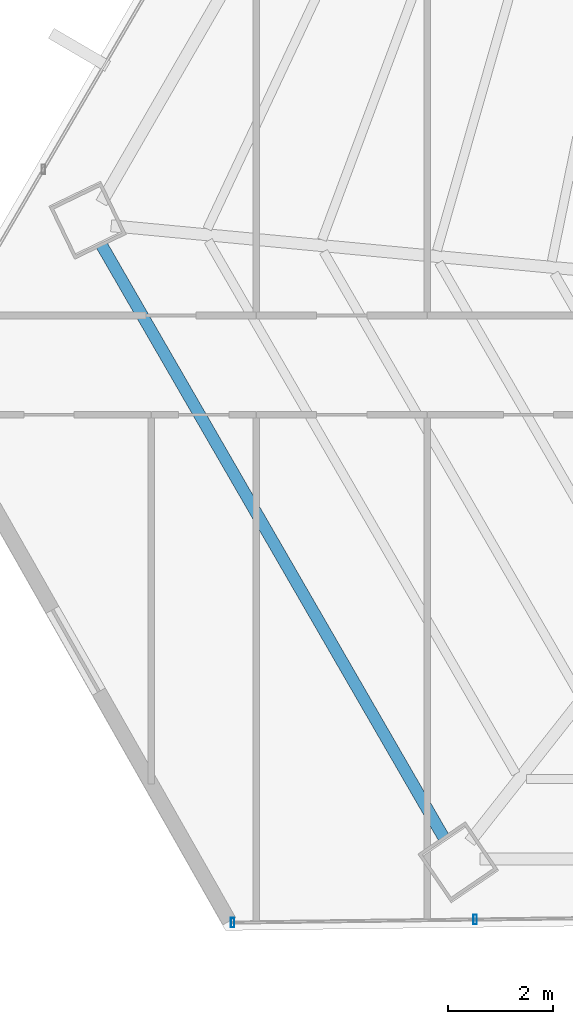
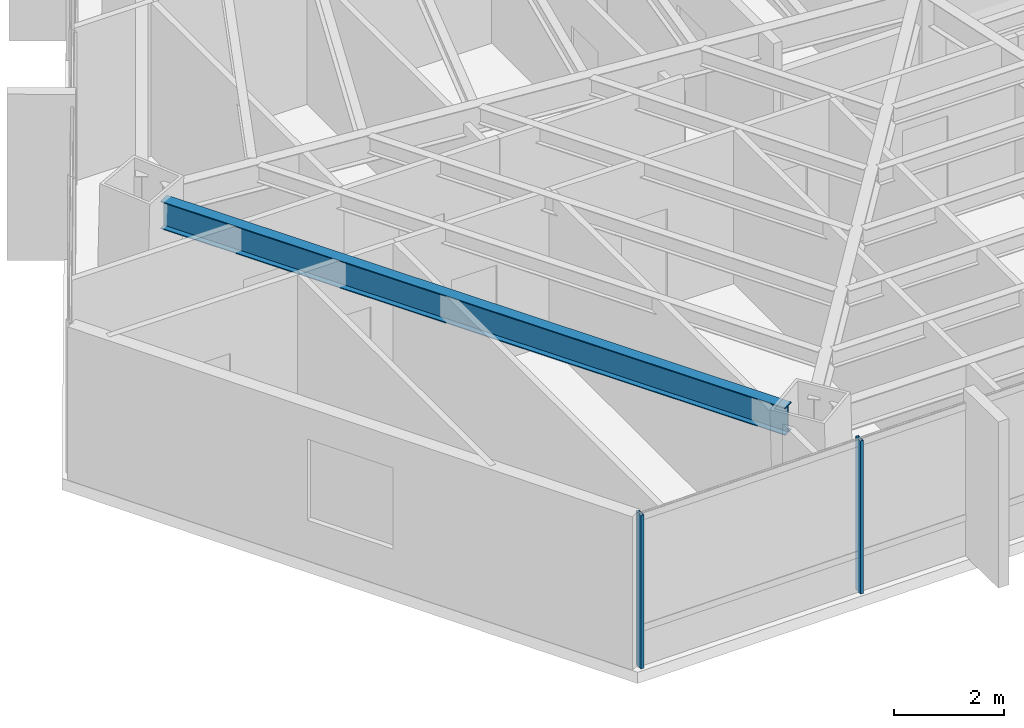
# One storey, part 4 of 37: 2 members, 1 beam, 1 element without a shape of its own.
"""IFC4 building model written with IfcOpenShell, lengths in metres."""

from ifc_helpers import new_model, si_unit, direction, frame, origin, origin_2d, place, context, subcontext, project, spatial, hollow_rectangle, i_section, extrude, source, transform, mapped, material, material_profile, profile_set, type_object, type_shapes, element, aggregate, save


model = new_model("IFC4")

# Units and contexts
model_context = context("Model", 3, precision=1e-05, world=origin(), true_north=direction((0.0, 1.0)))
body_context = subcontext(model_context, "Body", "Model", "MODEL_VIEW")
ifc_project = project(units=[si_unit("LENGTHUNIT", "METRE"), si_unit("AREAUNIT", "SQUARE_METRE"), si_unit("VOLUMEUNIT", "CUBIC_METRE"), si_unit("PLANEANGLEUNIT", "RADIAN"), si_unit("MASSUNIT", "GRAM", prefix="KILO")], contexts=[model_context])

# Site, building, storey
site_placement = place(None, origin())
site = spatial("IfcSite", under=ifc_project, at=site_placement, CompositionType="ELEMENT")
building_placement = place(site_placement, origin())
building = spatial("IfcBuilding", under=site, at=building_placement, Name="Caelisora Broadcast Tower", CompositionType="ELEMENT")
storey_placement = place(building_placement, frame((0.0, 0.0, 120.0)))
storey = spatial("IfcBuildingStorey", under=building, at=storey_placement, Name="L31", CompositionType="ELEMENT", Elevation=120.0)

# Beam
ifc_material_1 = material(Name="Steel Grade 350 (AS/NZS 3679.1)", Category="steel")
ifc_material_profile_1 = material_profile(ifc_material_1, i_section(OverallWidth=0.22900390625, OverallDepth=0.611572265625, WebThickness=0.011962890625, FlangeThickness=0.01953125, at=origin_2d()), Name="Steel Grade 350 (AS/NZS 3679.1)")
ifc_profile_set_1 = profile_set([ifc_material_profile_1], Name="Steel Grade 350 (AS/NZS 3679.1)")
beam_type = type_object("IfcBeamType", Name="PG03", PredefinedType="BEAM", material=ifc_profile_set_1)
shared_shape_1 = source(origin(), body_context, "Body", "SweptSolid", [
    extrude(i_section(OverallWidth=0.22900390625, OverallDepth=0.611572265625, WebThickness=0.011962890625, FlangeThickness=0.01953125, at=origin_2d()), origin(), (0.0, 0.0, 1.0), 13.1142578125),
])
type_shapes(beam_type, [shared_shape_1])
beam_placement = place(storey_placement, frame((15.286865234375, 18.4580078125, 3.09423828125), z_axis=(0.500003390455, -0.866023446295, 0.0), x_axis=(0.866023446295, 0.500003390455, 0.0)))
element("IfcBeam", 1, at=beam_placement, inside=storey, type_object=beam_type, Name="L31 beam PG03", PredefinedType="BEAM", context=body_context, shape_type="MappedRepresentation", body=[
    mapped(shared_shape_1, transform((0.0, 0.0, 0.0), scale=1.0)),
])

# Curtain wall, members
ifc_material_2 = material(Name="Unitised Aluminium and Low-E Glass Curtain Wall", Category="glass")
curtain_wall_type = type_object("IfcCurtainWallType", Name="CW-Z2", PredefinedType="NOTDEFINED", material=ifc_material_2)
curtain_wall_placement = place(storey_placement, origin())
curtain_wall = element("IfcCurtainWall", 2, at=curtain_wall_placement, inside=storey, type_object=curtain_wall_type, Name="L31 curtain wall CW-Z2", PredefinedType="NOTDEFINED")
ifc_material_3 = material(Name="Aluminium 6063-T6 Anodised Terracotta Bronze", Category="aluminium")
ifc_material_profile_2 = material_profile(ifc_material_3, hollow_rectangle(XDim=0.06494140625, YDim=0.179931640625, WallThickness=0.00341796875, at=origin_2d()), Name="Aluminium 6063-T6 Anodised Terracotta Bronze")
ifc_profile_set_2 = profile_set([ifc_material_profile_2], Name="Aluminium 6063-T6 Anodised Terracotta Bronze")
member_type = type_object("IfcMemberType", Name="CWM-02", PredefinedType="MULLION", material=ifc_profile_set_2)
shared_shape_2 = source(origin(), body_context, "Body", "SweptSolid", [
    extrude(hollow_rectangle(XDim=0.06494140625, YDim=0.179931640625, WallThickness=0.00341796875, at=origin_2d()), origin(), (0.0, 0.0, 1.0), 3.39990234375),
])
type_shapes(member_type, [shared_shape_2])
member_1_placement = place(storey_placement, frame((22.4375, 5.54638671875, 0.0), z_axis=(0.0, 0.0, 1.0), x_axis=(1.0, 0.0, 0.0)))
member_1 = element("IfcMember", 3, at=member_1_placement, type_object=member_type, Name="L31-CW-B07 mullion #2", PredefinedType="MULLION", context=body_context, shape_type="MappedRepresentation", body=[
    mapped(shared_shape_2, transform((0.0, 0.0, 0.0), scale=1.0)),
])
member_2_placement = place(storey_placement, frame((17.799072265625, 5.488525390625, 0.0), z_axis=(0.0, 0.0, 1.0), x_axis=(1.0, 0.0, 0.0)))
member_2 = element("IfcMember", 4, at=member_2_placement, type_object=member_type, Name="L31-CW-B07 mullion #3", PredefinedType="MULLION", context=body_context, shape_type="MappedRepresentation", body=[
    mapped(shared_shape_2, transform((0.0, 0.0, 0.0), scale=1.0)),
])
aggregate(curtain_wall, [member_1, member_2])

save(model, "model.ifc")
